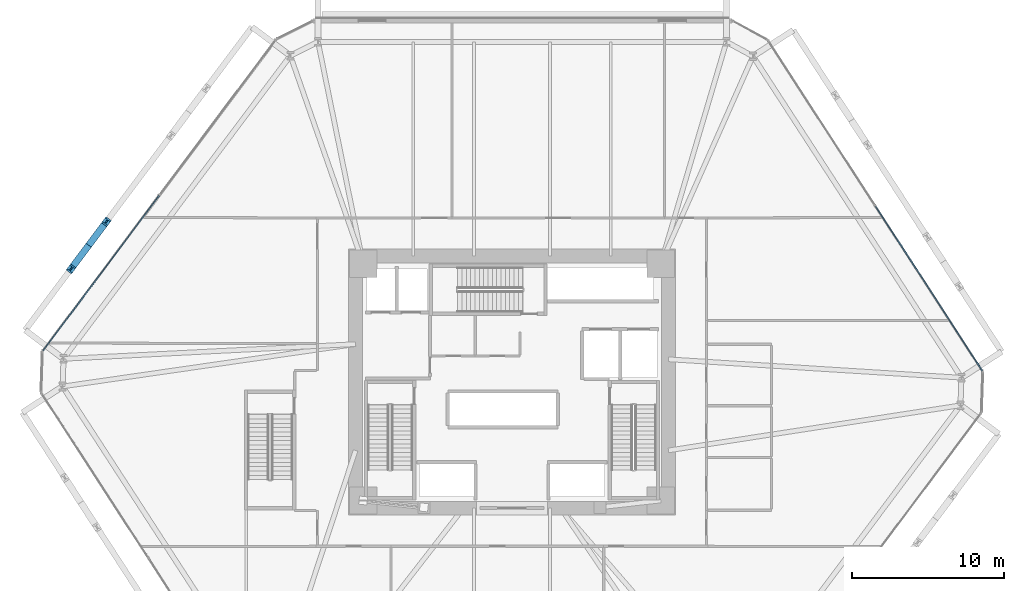
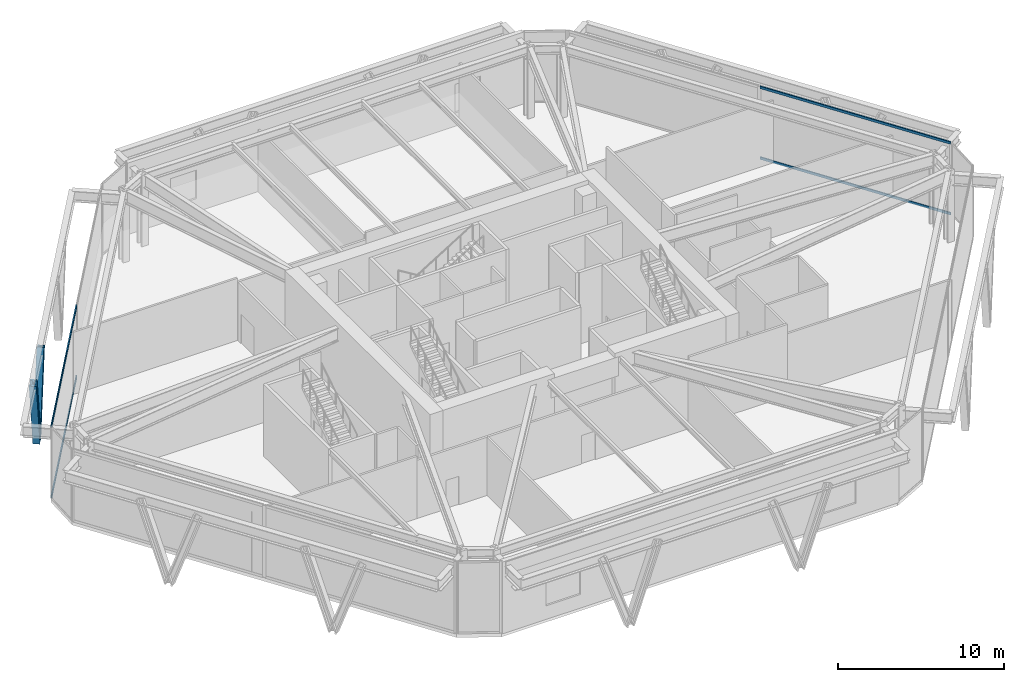
# One storey, part 7 of 19: 6 members, 2 elements without a shape of their own.
"""IFC4 building model written with IfcOpenShell, lengths in metres."""

from ifc_helpers import new_model, si_unit, direction, frame, origin, origin_2d, place, context, subcontext, project, spatial, rectangle, i_section, extrude, source, transform, mapped, material, layer, layer_set, material_profile, profile_set, type_object, type_shapes, element, aggregate, save


model = new_model("IFC4")

# Units and contexts
model_context = context("Model", 3, precision=1e-05, world=origin(), true_north=direction((0.0, 1.0)))
body_context = subcontext(model_context, "Body", "Model", "MODEL_VIEW")
ifc_project = project(units=[si_unit("LENGTHUNIT", "METRE"), si_unit("AREAUNIT", "SQUARE_METRE"), si_unit("VOLUMEUNIT", "CUBIC_METRE"), si_unit("PLANEANGLEUNIT", "RADIAN"), si_unit("MASSUNIT", "GRAM", prefix="KILO")], contexts=[model_context])

# Site, building, storey
site_placement = place(None, origin())
site = spatial("IfcSite", under=ifc_project, at=site_placement, CompositionType="ELEMENT")
building_placement = place(site_placement, origin())
building = spatial("IfcBuilding", under=site, at=building_placement, Name="Durnholm Broadcast Tower", CompositionType="ELEMENT")
storey_placement = place(building_placement, frame((0.0, 0.0, 15.60009765625)))
storey = spatial("IfcBuildingStorey", under=building, at=storey_placement, Name="L03", CompositionType="ELEMENT", Elevation=15.60009765625)

# Members
ifc_material_1 = material(Name="Steel ASTM A913 Grade 65", Category="steel")
ifc_material_profile_1 = material_profile(ifc_material_1, i_section(OverallWidth=0.44189453125, OverallDepth=0.531494140625, WebThickness=0.06591796875, FlangeThickness=0.105712890625, FilletRadius=0.030517578125, at=origin_2d()), Name="W14X605")
ifc_profile_set_1 = profile_set([ifc_material_profile_1], Name="Steel ASTM A913 Grade 65")
member_type_1 = type_object("IfcMemberType", Name="STL-DG-W14X605", PredefinedType="BRACE", material=ifc_profile_set_1)
shared_shape_1 = source(origin(), body_context, "Body", "SweptSolid", [
    extrude(i_section(OverallWidth=0.44189453125, OverallDepth=0.531494140625, WebThickness=0.06591796875, FlangeThickness=0.105712890625, FilletRadius=0.030517578125, at=origin_2d()), origin(), (0.0, 0.0, 1.0), 5.927734375),
])
type_shapes(member_type_1, [shared_shape_1])
for number, where, z_axis, x_axis, name in (
    (1, (-27.86962890625, 9.005859375, -1.071533203125), (0.196498611966, 0.262602211254, 0.944684272199), (-0.800662544514, 0.599115589692, 0.0), "L03 stand-off diagrid brace F5.D2.1"),
    (2, (-27.86962890625, 9.005859375, -1.071533203125), (-0.196498611966, -0.262602211254, 0.944684272199), (0.800662544514, -0.599115589692, 0.0), "L03 stand-off diagrid brace F5.D2.2"),
):
    element("IfcMember", number, at=place(storey_placement, frame(where, z_axis=z_axis, x_axis=x_axis)), inside=storey, type_object=member_type_1, Name=name, PredefinedType="BRACE", context=body_context, shape_type="MappedRepresentation", body=[
        mapped(shared_shape_1, transform((0.0, 0.0, 0.0), x_axis=(1.0, 0.0, 0.0), y_axis=(0.0, 1.0, 0.0), z_axis=(0.0, 0.0, 1.0), scale=1.0)),
    ])

# Curtain wall, members
ifc_material_2 = material(Name="Aluminium and Solar Control IGU", Category="aluminium")
ifc_layer = layer(ifc_material_2, 0.219970703125)
ifc_layer_set = layer_set([ifc_layer], Name="Aluminium and Solar Control IGU")
curtain_wall_type = type_object("IfcCurtainWallType", Name="CW-SYS-2", PredefinedType="NOTDEFINED", material=ifc_layer_set)
curtain_wall_1_placement = place(storey_placement, origin())
curtain_wall_1 = element("IfcCurtainWall", 3, at=curtain_wall_1_placement, inside=storey, type_object=curtain_wall_type, Name="L03 curtain wall CW-STUDIO CW-L03-F02", PredefinedType="NOTDEFINED")
ifc_material_3 = material(Name="Aluminium 6063-T6", Category="aluminium")
ifc_material_profile_2 = material_profile(ifc_material_3, rectangle(XDim=0.074951171875, YDim=0.179931640625, at=origin_2d()), Name="CWT75X180")
ifc_profile_set_2 = profile_set([ifc_material_profile_2], Name="Aluminium 6063-T6")
member_type_2 = type_object("IfcMemberType", Name="CW-SYS-2-TRN", PredefinedType="USERDEFINED", material=ifc_profile_set_2)
shared_shape_2 = source(origin(), body_context, "Body", "SweptSolid", [
    extrude(rectangle(XDim=0.074951171875, YDim=0.179931640625, at=origin_2d()), origin(), (0.0, 0.0, 1.0), 12.736083984375),
])
member_1_placement = place(storey_placement, frame((-30.868896484375, 2.0771484375, 0.037353515625), z_axis=(0.599150086167, 0.800636730513, 0.0), x_axis=(-0.800636730513, 0.599150086167, 0.0)))
member_1 = element("IfcMember", 4, at=member_1_placement, type_object=member_type_2, Name="CW-STUDIO transom 1.1", ObjectType="TRANSOM", PredefinedType="USERDEFINED", context=body_context, shape_type="MappedRepresentation", body=[
    mapped(shared_shape_2, transform((0.0, 0.0, 0.0), x_axis=(1.0, 0.0, 0.0), y_axis=(0.0, 1.0, 0.0), z_axis=(0.0, 0.0, 1.0), scale=1.0)),
])
member_2_placement = place(storey_placement, frame((-30.868896484375, 2.0771484375, 5.242431640625), z_axis=(0.599150086167, 0.800636730513, 0.0), x_axis=(-0.800636730513, 0.599150086167, 0.0)))
member_2 = element("IfcMember", 5, at=member_2_placement, type_object=member_type_2, Name="CW-STUDIO transom 1.2", ObjectType="TRANSOM", PredefinedType="USERDEFINED", context=body_context, shape_type="MappedRepresentation", body=[
    mapped(shared_shape_2, transform((0.0, 0.0, 0.0), x_axis=(1.0, 0.0, 0.0), y_axis=(0.0, 1.0, 0.0), z_axis=(0.0, 0.0, 1.0), scale=1.0)),
])
aggregate(curtain_wall_1, [member_1, member_2])

curtain_wall_2_placement = place(storey_placement, origin())
curtain_wall_2 = element("IfcCurtainWall", 6, at=curtain_wall_2_placement, inside=storey, type_object=curtain_wall_type, Name="L03 curtain wall CW-STUDIO CW-L03-F06", PredefinedType="NOTDEFINED")
shared_shape_3 = source(origin(), body_context, "Body", "SweptSolid", [
    extrude(rectangle(XDim=0.074951171875, YDim=0.179931640625, at=origin_2d()), origin(), (0.0, 0.0, 1.0), 12.896728515625),
])
type_shapes(member_type_2, [shared_shape_2, shared_shape_3])
member_3_placement = place(storey_placement, frame((23.9462890625, 11.564697265625, 0.037353515625), z_axis=(0.544114398501, -0.839011037677, 0.0), x_axis=(0.839011037677, 0.544114398501, 0.0)))
member_3 = element("IfcMember", 7, at=member_3_placement, type_object=member_type_2, Name="CW-STUDIO transom 2.1", ObjectType="TRANSOM", PredefinedType="USERDEFINED", context=body_context, shape_type="MappedRepresentation", body=[
    mapped(shared_shape_3, transform((0.0, 0.0, 0.0), x_axis=(1.0, 0.0, 0.0), y_axis=(0.0, 1.0, 0.0), z_axis=(0.0, 0.0, 1.0), scale=1.0)),
])
member_4_placement = place(storey_placement, frame((23.9462890625, 11.564697265625, 5.242431640625), z_axis=(0.544114398501, -0.839011037677, 0.0), x_axis=(0.839011037677, 0.544114398501, 0.0)))
member_4 = element("IfcMember", 8, at=member_4_placement, type_object=member_type_2, Name="CW-STUDIO transom 2.2", ObjectType="TRANSOM", PredefinedType="USERDEFINED", context=body_context, shape_type="MappedRepresentation", body=[
    mapped(shared_shape_3, transform((0.0, 0.0, 0.0), x_axis=(1.0, 0.0, 0.0), y_axis=(0.0, 1.0, 0.0), z_axis=(0.0, 0.0, 1.0), scale=1.0)),
])
aggregate(curtain_wall_2, [member_3, member_4])

save(model, "model.ifc")
